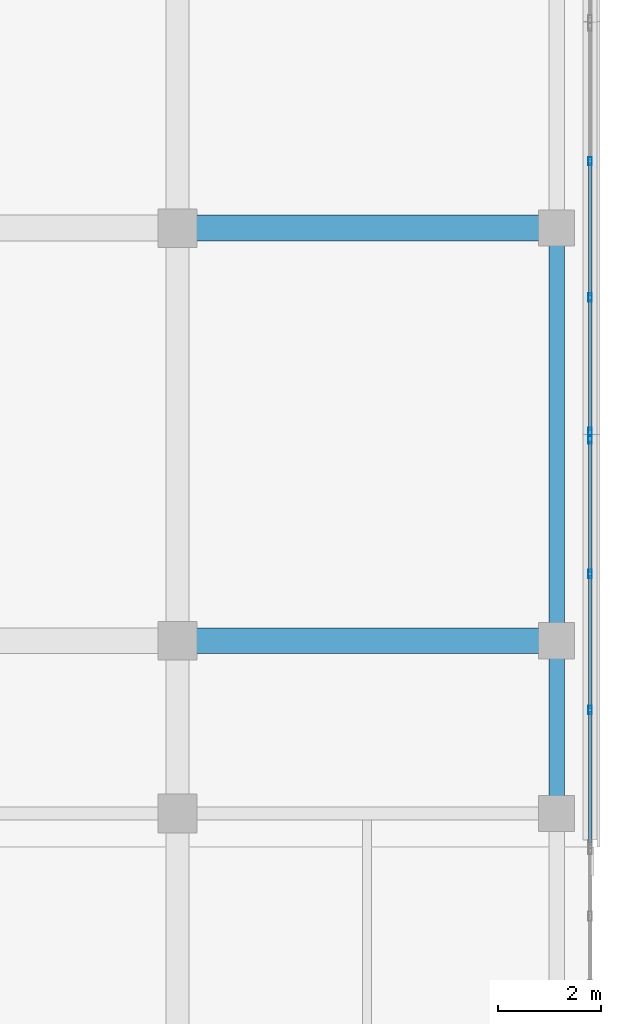
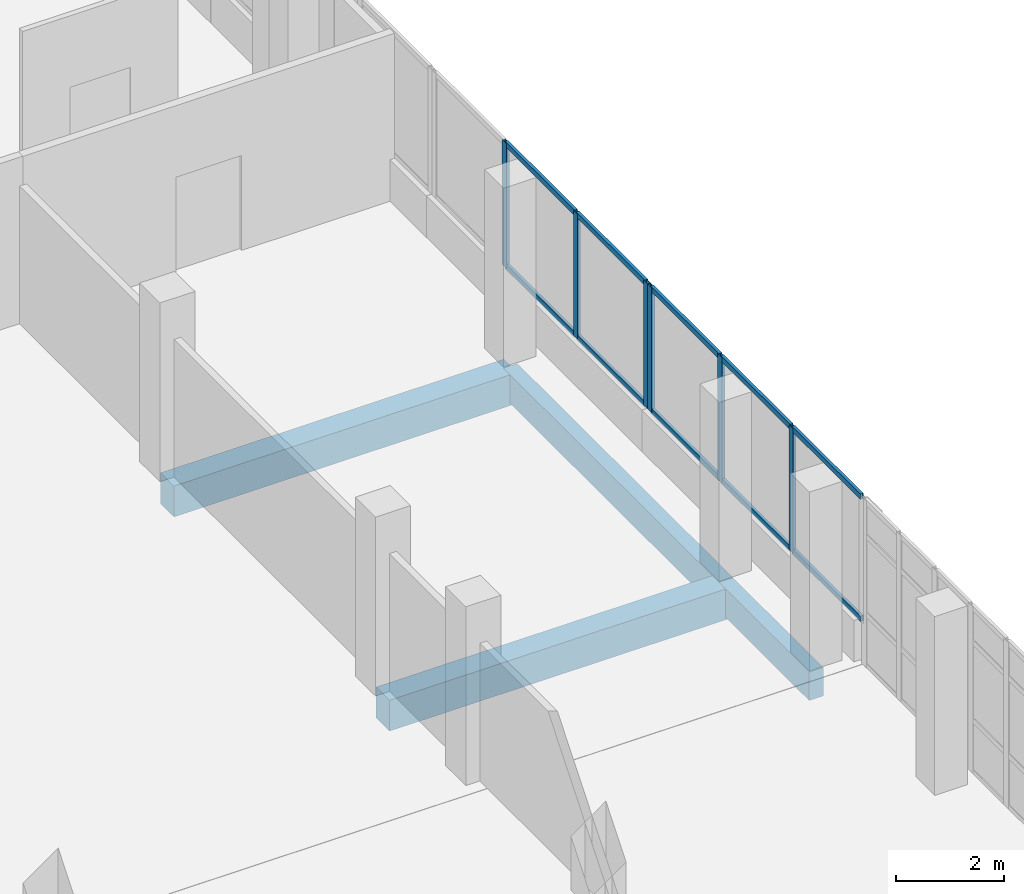
# One storey, part 64 of 101: 16 members, 4 beams, 2 elements without a shape of their own.
"""IFC4 building model written with IfcOpenShell, lengths in metres."""

from ifc_helpers import new_model, si_unit, direction, frame, origin, origin_2d, place, context, subcontext, project, spatial, rectangle, hollow_rectangle, extrude, material, material_profile, profile_set, type_object, element, aggregate, save


model = new_model("IFC4")

# Units and contexts
model_context = context("Model", 3, precision=1e-05, world=origin(), true_north=direction((0.0, 1.0)))
body_context = subcontext(model_context, "Body", "Model", "MODEL_VIEW")
ifc_project = project(units=[si_unit("LENGTHUNIT", "METRE"), si_unit("AREAUNIT", "SQUARE_METRE"), si_unit("VOLUMEUNIT", "CUBIC_METRE"), si_unit("PLANEANGLEUNIT", "RADIAN"), si_unit("MASSUNIT", "GRAM", prefix="KILO")], contexts=[model_context])

# Site, building, storey
site_placement = place(None, origin())
site = spatial("IfcSite", under=ifc_project, at=site_placement, CompositionType="ELEMENT")
building_placement = place(site_placement, origin())
building = spatial("IfcBuilding", under=site, at=building_placement, Name="Selatvlak General Hospital", CompositionType="ELEMENT")
storey_placement = place(building_placement, frame((0.0, 0.0, 19.199951171875)))
storey = spatial("IfcBuildingStorey", under=building, at=storey_placement, Name="L04", CompositionType="ELEMENT", Elevation=19.199951171875)

# Beams
ifc_material_1 = material(Name="Concrete C40/50", Category="concrete")
ifc_material_profile_1 = material_profile(ifc_material_1, rectangle(XDim=0.5, YDim=0.699951171875, at=origin_2d()), Name="RC-BM 500x700")
ifc_profile_set_1 = profile_set([ifc_material_profile_1], Name="Concrete C40/50")
beam_type_1 = type_object("IfcBeamType", Name="BM-G03", PredefinedType="BEAM", material=ifc_profile_set_1)
for number, where, z_axis, x_axis, name in (
    (1, (174.0, 92.0, -0.655029296875), (1.0, 0.0, 0.0), (0.0, 1.0, 0.0), "Beam BMR-L04-1574"),
    (2, (174.0, 100.0, -0.655029296875), (1.0, 0.0, 0.0), (0.0, 1.0, 0.0), "Beam BMR-L04-1594"),
):
    element("IfcBeam", number, at=place(storey_placement, frame(where, z_axis=z_axis, x_axis=x_axis)), inside=storey, type_object=beam_type_1, Name=name, PredefinedType="BEAM", context=body_context, shape_type="SweptSolid", body=[
        extrude(rectangle(XDim=0.5, YDim=0.699951171875, at=origin_2d()), origin(), (0.0, 0.0, 1.0), 7.35009765625),
    ])
ifc_material_profile_2 = material_profile(ifc_material_1, rectangle(XDim=0.300048828125, YDim=0.64990234375, at=origin_2d()), Name="RC-SP 300x650")
ifc_profile_set_2 = profile_set([ifc_material_profile_2], Name="Concrete C40/50")
beam_type_2 = type_object("IfcBeamType", Name="BM-SP1", PredefinedType="SPANDREL", material=ifc_profile_set_2)
beam_1_placement = place(storey_placement, frame((181.35009765625, 88.64990234375, -0.6298828125), z_axis=(0.0, 1.0, 0.0), x_axis=(-1.0, 0.0, 0.0)))
element("IfcBeam", 3, at=beam_1_placement, inside=storey, type_object=beam_type_2, Name="Beam BMR-L04-1771", PredefinedType="SPANDREL", context=body_context, shape_type="SweptSolid", body=[
    extrude(rectangle(XDim=0.300048828125, YDim=0.64990234375, at=origin_2d()), origin(), (0.0, 0.0, 1.0), 3.35009765625),
])
beam_2_placement = place(storey_placement, frame((181.35009765625, 92.0, -0.6298828125), z_axis=(0.0, 1.0, 0.0), x_axis=(-1.0, 0.0, 0.0)))
element("IfcBeam", 4, at=beam_2_placement, inside=storey, type_object=beam_type_2, Name="Beam BMR-L04-1772", PredefinedType="SPANDREL", context=body_context, shape_type="SweptSolid", body=[
    extrude(rectangle(XDim=0.300048828125, YDim=0.64990234375, at=origin_2d()), origin(), (0.0, 0.0, 1.0), 8.0),
])

# Curtain wall, members
ifc_material_2 = material(Name="Solar-control Low-E double glazing", Category="glass")
curtain_wall_type_1 = type_object("IfcCurtainWallType", Name="CW-CW-02", PredefinedType="USERDEFINED", material=ifc_material_2)
curtain_wall_1_placement = place(storey_placement, origin())
curtain_wall_1 = element("IfcCurtainWall", 5, at=curtain_wall_1_placement, inside=storey, type_object=curtain_wall_type_1, Name="Glazed facade curtain wall CW-L04-0502", ObjectType="UNITISED CURTAIN WALL", PredefinedType="USERDEFINED")
ifc_material_3 = material(Name="Dark anodised aluminium mullion", Category="aluminium")
ifc_material_profile_3 = material_profile(ifc_material_3, hollow_rectangle(XDim=0.06494140625, YDim=0.159912109375, WallThickness=0.00390625, at=origin_2d()), Name="AL-MUL 65x160x4")
ifc_profile_set_3 = profile_set([ifc_material_profile_3], Name="Dark anodised aluminium mullion")
member_type_1 = type_object("IfcMemberType", Name="CWM-01", PredefinedType="MULLION", material=ifc_profile_set_3)
member_1_placement = place(storey_placement, frame((182.0, 101.2958984375, 0.93994140625), z_axis=(0.0, 0.0, 1.0), x_axis=(1.0, 0.0, 0.0)))
member_1 = element("IfcMember", 6, at=member_1_placement, type_object=member_type_1, Name="CW-02 mullion 2", PredefinedType="MULLION", context=body_context, shape_type="SweptSolid", body=[
    extrude(hollow_rectangle(XDim=0.06494140625, YDim=0.159912109375, WallThickness=0.00390625, at=origin_2d()), origin(), (0.0, 0.0, 1.0), 2.830078125),
])
member_2_placement = place(storey_placement, frame((182.0, 98.656005859375, 0.93994140625), z_axis=(0.0, 0.0, 1.0), x_axis=(1.0, 0.0, 0.0)))
member_2 = element("IfcMember", 7, at=member_2_placement, type_object=member_type_1, Name="CW-02 mullion 3", PredefinedType="MULLION", context=body_context, shape_type="SweptSolid", body=[
    extrude(hollow_rectangle(XDim=0.06494140625, YDim=0.159912109375, WallThickness=0.00390625, at=origin_2d()), origin(), (0.0, 0.0, 1.0), 2.830078125),
])
member_3_placement = place(storey_placement, frame((182.0, 96.048583984375, 0.93994140625), z_axis=(0.0, 0.0, 1.0), x_axis=(1.0, 0.0, 0.0)))
member_3 = element("IfcMember", 8, at=member_3_placement, type_object=member_type_1, Name="CW-02 mullion 4", PredefinedType="MULLION", context=body_context, shape_type="SweptSolid", body=[
    extrude(hollow_rectangle(XDim=0.06494140625, YDim=0.159912109375, WallThickness=0.00390625, at=origin_2d()), origin(), (0.0, 0.0, 1.0), 2.830078125),
])

curtain_wall_type_2 = type_object("IfcCurtainWallType", Name="CW-CW-01", PredefinedType="USERDEFINED", material=ifc_material_2)
curtain_wall_2_placement = place(storey_placement, origin())
curtain_wall_2 = element("IfcCurtainWall", 9, at=curtain_wall_2_placement, inside=storey, type_object=curtain_wall_type_2, Name="Glazed facade curtain wall CW-L04-0503", ObjectType="UNITISED CURTAIN WALL", PredefinedType="USERDEFINED")
member_4_placement = place(storey_placement, frame((182.0, 95.903564453125, 0.93994140625), z_axis=(0.0, 0.0, 1.0), x_axis=(1.0, 0.0, 0.0)))
member_4 = element("IfcMember", 10, at=member_4_placement, type_object=member_type_1, Name="CW-01 mullion 1", PredefinedType="MULLION", context=body_context, shape_type="SweptSolid", body=[
    extrude(hollow_rectangle(XDim=0.06494140625, YDim=0.159912109375, WallThickness=0.00390625, at=origin_2d()), origin(), (0.0, 0.0, 1.0), 2.830078125),
])
member_5_placement = place(storey_placement, frame((182.0, 93.2958984375, 0.93994140625), z_axis=(0.0, 0.0, 1.0), x_axis=(1.0, 0.0, 0.0)))
member_5 = element("IfcMember", 11, at=member_5_placement, type_object=member_type_1, Name="CW-01 mullion 2", PredefinedType="MULLION", context=body_context, shape_type="SweptSolid", body=[
    extrude(hollow_rectangle(XDim=0.06494140625, YDim=0.159912109375, WallThickness=0.00390625, at=origin_2d()), origin(), (0.0, 0.0, 1.0), 2.830078125),
])
member_6_placement = place(storey_placement, frame((182.0, 90.656005859375, 0.93994140625), z_axis=(0.0, 0.0, 1.0), x_axis=(1.0, 0.0, 0.0)))
member_6 = element("IfcMember", 12, at=member_6_placement, type_object=member_type_1, Name="CW-01 mullion 3", PredefinedType="MULLION", context=body_context, shape_type="SweptSolid", body=[
    extrude(hollow_rectangle(XDim=0.06494140625, YDim=0.159912109375, WallThickness=0.00390625, at=origin_2d()), origin(), (0.0, 0.0, 1.0), 2.830078125),
])

# Member
ifc_material_profile_4 = material_profile(ifc_material_3, hollow_rectangle(XDim=0.06494140625, YDim=0.1201171875, WallThickness=0.00390625, at=origin_2d()), Name="AL-TRN 65x120x4")
ifc_profile_set_4 = profile_set([ifc_material_profile_4], Name="Dark anodised aluminium mullion")
member_type_2 = type_object("IfcMemberType", Name="CWT-01", PredefinedType="USERDEFINED", material=ifc_profile_set_4)
member_7_placement = place(storey_placement, frame((182.0, 101.263427734375, 0.97265625), z_axis=(0.0, -1.0, 0.0), x_axis=(1.0, 0.0, 0.0)))
member_7 = element("IfcMember", 13, at=member_7_placement, type_object=member_type_2, Name="CW-02 transom 2.1", ObjectType="TRANSOM", PredefinedType="USERDEFINED", context=body_context, shape_type="SweptSolid", body=[
    extrude(hollow_rectangle(XDim=0.06494140625, YDim=0.1201171875, WallThickness=0.00390625, at=origin_2d()), origin(), (0.0, 0.0, 1.0), 2.574951171875),
])

member_8_placement = place(storey_placement, frame((182.0, 101.263427734375, 3.737548828125), z_axis=(0.0, -1.0, 0.0), x_axis=(1.0, 0.0, 0.0)))
member_8 = element("IfcMember", 14, at=member_8_placement, type_object=member_type_2, Name="CW-02 transom 2.2", ObjectType="TRANSOM", PredefinedType="USERDEFINED", context=body_context, shape_type="SweptSolid", body=[
    extrude(hollow_rectangle(XDim=0.06494140625, YDim=0.1201171875, WallThickness=0.00390625, at=origin_2d()), origin(), (0.0, 0.0, 1.0), 2.574951171875),
])

member_9_placement = place(storey_placement, frame((182.0, 98.62353515625, 0.97265625), z_axis=(0.0, -1.0, 0.0), x_axis=(1.0, 0.0, 0.0)))
member_9 = element("IfcMember", 15, at=member_9_placement, type_object=member_type_2, Name="CW-02 transom 3.1", ObjectType="TRANSOM", PredefinedType="USERDEFINED", context=body_context, shape_type="SweptSolid", body=[
    extrude(hollow_rectangle(XDim=0.06494140625, YDim=0.1201171875, WallThickness=0.00390625, at=origin_2d()), origin(), (0.0, 0.0, 1.0), 2.54248046875),
])

member_10_placement = place(storey_placement, frame((182.0, 98.62353515625, 3.737548828125), z_axis=(0.0, -1.0, 0.0), x_axis=(1.0, 0.0, 0.0)))
member_10 = element("IfcMember", 16, at=member_10_placement, type_object=member_type_2, Name="CW-02 transom 3.2", ObjectType="TRANSOM", PredefinedType="USERDEFINED", context=body_context, shape_type="SweptSolid", body=[
    extrude(hollow_rectangle(XDim=0.06494140625, YDim=0.1201171875, WallThickness=0.00390625, at=origin_2d()), origin(), (0.0, 0.0, 1.0), 2.54248046875),
])

aggregate(curtain_wall_1, [member_1, member_2, member_3, member_7, member_8, member_9, member_10])

member_11_placement = place(storey_placement, frame((182.0, 95.87109375, 0.97265625), z_axis=(0.0, -1.0, 0.0), x_axis=(1.0, 0.0, 0.0)))
member_11 = element("IfcMember", 17, at=member_11_placement, type_object=member_type_2, Name="CW-01 transom 1.1", ObjectType="TRANSOM", PredefinedType="USERDEFINED", context=body_context, shape_type="SweptSolid", body=[
    extrude(hollow_rectangle(XDim=0.06494140625, YDim=0.1201171875, WallThickness=0.00390625, at=origin_2d()), origin(), (0.0, 0.0, 1.0), 2.54248046875),
])

member_12_placement = place(storey_placement, frame((182.0, 95.87109375, 3.737548828125), z_axis=(0.0, -1.0, 0.0), x_axis=(1.0, 0.0, 0.0)))
member_12 = element("IfcMember", 18, at=member_12_placement, type_object=member_type_2, Name="CW-01 transom 1.2", ObjectType="TRANSOM", PredefinedType="USERDEFINED", context=body_context, shape_type="SweptSolid", body=[
    extrude(hollow_rectangle(XDim=0.06494140625, YDim=0.1201171875, WallThickness=0.00390625, at=origin_2d()), origin(), (0.0, 0.0, 1.0), 2.54248046875),
])

member_13_placement = place(storey_placement, frame((182.0, 93.263427734375, 0.97265625), z_axis=(0.0, -1.0, 0.0), x_axis=(1.0, 0.0, 0.0)))
member_13 = element("IfcMember", 19, at=member_13_placement, type_object=member_type_2, Name="CW-01 transom 2.1", ObjectType="TRANSOM", PredefinedType="USERDEFINED", context=body_context, shape_type="SweptSolid", body=[
    extrude(hollow_rectangle(XDim=0.06494140625, YDim=0.1201171875, WallThickness=0.00390625, at=origin_2d()), origin(), (0.0, 0.0, 1.0), 2.574951171875),
])

member_14_placement = place(storey_placement, frame((182.0, 93.263427734375, 3.737548828125), z_axis=(0.0, -1.0, 0.0), x_axis=(1.0, 0.0, 0.0)))
member_14 = element("IfcMember", 20, at=member_14_placement, type_object=member_type_2, Name="CW-01 transom 2.2", ObjectType="TRANSOM", PredefinedType="USERDEFINED", context=body_context, shape_type="SweptSolid", body=[
    extrude(hollow_rectangle(XDim=0.06494140625, YDim=0.1201171875, WallThickness=0.00390625, at=origin_2d()), origin(), (0.0, 0.0, 1.0), 2.574951171875),
])

member_15_placement = place(storey_placement, frame((182.0, 90.62353515625, 0.97265625), z_axis=(0.0, -1.0, 0.0), x_axis=(1.0, 0.0, 0.0)))
member_15 = element("IfcMember", 21, at=member_15_placement, type_object=member_type_2, Name="CW-01 transom 3.1", ObjectType="TRANSOM", PredefinedType="USERDEFINED", context=body_context, shape_type="SweptSolid", body=[
    extrude(hollow_rectangle(XDim=0.06494140625, YDim=0.1201171875, WallThickness=0.00390625, at=origin_2d()), origin(), (0.0, 0.0, 1.0), 2.54248046875),
])

member_16_placement = place(storey_placement, frame((182.0, 90.62353515625, 3.737548828125), z_axis=(0.0, -1.0, 0.0), x_axis=(1.0, 0.0, 0.0)))
member_16 = element("IfcMember", 22, at=member_16_placement, type_object=member_type_2, Name="CW-01 transom 3.2", ObjectType="TRANSOM", PredefinedType="USERDEFINED", context=body_context, shape_type="SweptSolid", body=[
    extrude(hollow_rectangle(XDim=0.06494140625, YDim=0.1201171875, WallThickness=0.00390625, at=origin_2d()), origin(), (0.0, 0.0, 1.0), 2.54248046875),
])

aggregate(curtain_wall_2, [member_4, member_5, member_6, member_11, member_12, member_13, member_14, member_15, member_16])

save(model, "model.ifc")
